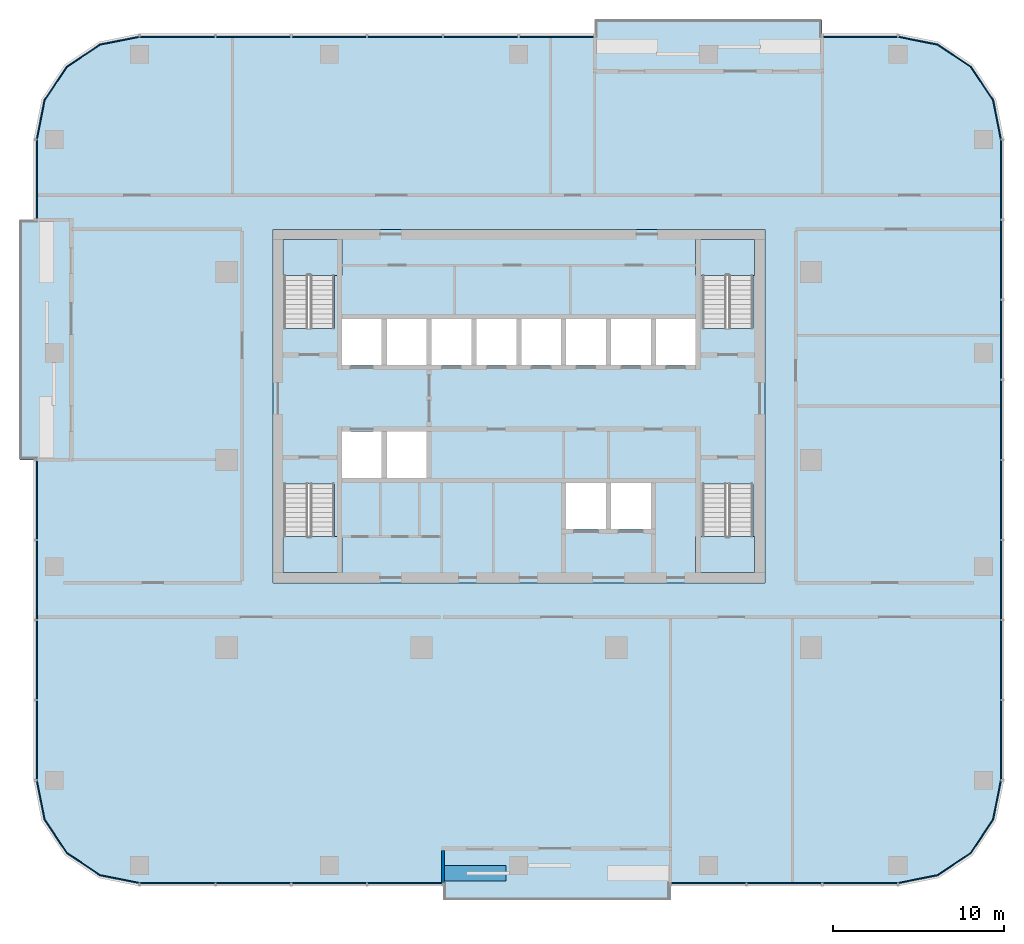
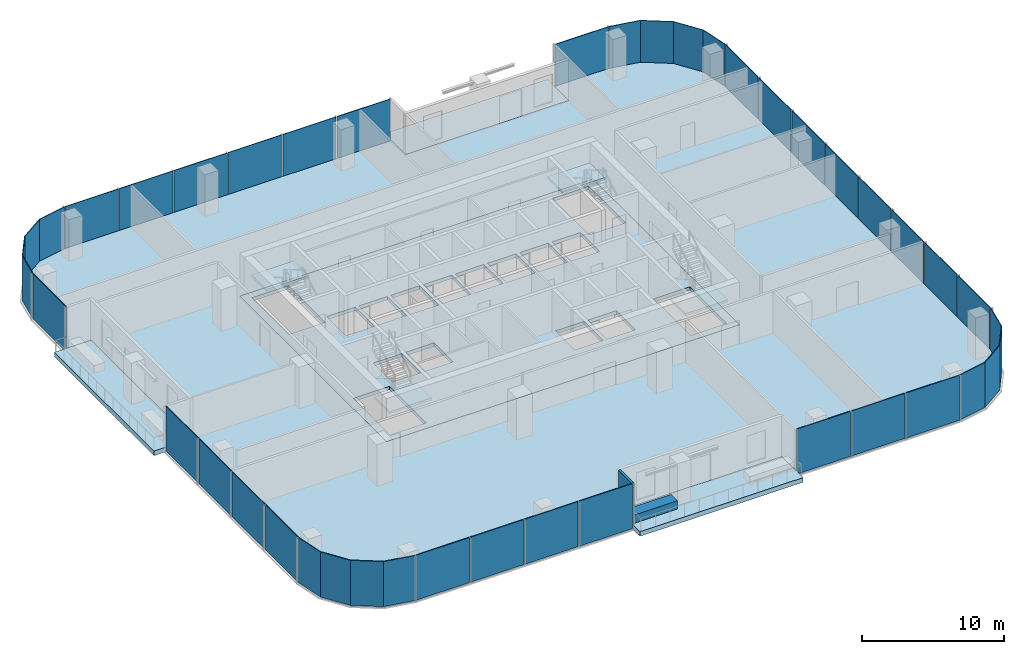
# One storey, part 6 of 14: 31 plates, 9 slabs, 2 walls, 15 elements without a shape of their own.
"""IFC4 building model written with IfcOpenShell, lengths in metres."""

from ifc_helpers import new_model, si_unit, direction, frame, frame_2d, origin, origin_2d, place, context, subcontext, project, spatial, polyline, rectangle, outline, extrude, material, layer, layer_set, type_object, element, aggregate, save


model = new_model("IFC4")

# Units and contexts
model_context = context("Model", 3, precision=1e-05, world=origin(), true_north=direction((0.0, 1.0)))
body_context = subcontext(model_context, "Body", "Model", "MODEL_VIEW")
ifc_project = project(units=[si_unit("LENGTHUNIT", "METRE"), si_unit("AREAUNIT", "SQUARE_METRE"), si_unit("VOLUMEUNIT", "CUBIC_METRE"), si_unit("PLANEANGLEUNIT", "RADIAN"), si_unit("MASSUNIT", "GRAM", prefix="KILO")], contexts=[model_context])

# Site, building, storey
site_placement = place(None, origin())
site = spatial("IfcSite", under=ifc_project, at=site_placement, CompositionType="ELEMENT")
building_placement = place(site_placement, origin())
building = spatial("IfcBuilding", under=site, at=building_placement, Name="Mopane Tessera Tower", CompositionType="ELEMENT")
storey_placement = place(building_placement, frame((0.0, 0.0, 251.0)))
storey = spatial("IfcBuildingStorey", under=building, at=storey_placement, Name="L54", CompositionType="ELEMENT", Elevation=251.0)

# Slab
ifc_material_1 = material(Name="Concrete C40/50", Category="concrete")
ifc_layer_1 = layer(ifc_material_1, 0.300048828125)
ifc_layer_set_1 = layer_set([ifc_layer_1], Name="Concrete C40/50")
slab_type_1 = type_object("IfcSlabType", Name="Core floor slab 300 mm", PredefinedType="FLOOR", material=ifc_layer_set_1)
slab_1_placement = place(storey_placement, frame((0.0, 0.0, -0.300048828125)))
element("IfcSlab", 1, at=slab_1_placement, inside=storey, type_object=slab_type_1, Name="L54 core floor slab", PredefinedType="FLOOR", context=body_context, shape_type="SweptSolid", body=[
    extrude(outline(polyline([(-14.39990234375, -7.199951171875), (14.39990234375, -7.199951171875), (14.39990234375, 13.5), (-14.39990234375, 13.5), (-14.39990234375, -7.199951171875)]), holes=[polyline([(-10.35009765625, -1.050048828125), (-8.02490234375, -1.050048828125), (-8.02490234375, 1.64990234375), (-10.35009765625, 1.64990234375), (-10.35009765625, -1.050048828125)]), polyline([(-7.72509765625, -1.050048828125), (-5.39990234375, -1.050048828125), (-5.39990234375, 1.64990234375), (-7.72509765625, 1.64990234375), (-7.72509765625, -1.050048828125)]), polyline([(-10.35009765625, 5.550048828125), (-8.02490234375, 5.550048828125), (-8.02490234375, 8.25), (-10.35009765625, 8.25), (-10.35009765625, 5.550048828125)]), polyline([(-7.72509765625, 5.550048828125), (-5.39990234375, 5.550048828125), (-5.39990234375, 8.25), (-7.72509765625, 8.25), (-7.72509765625, 5.550048828125)]), polyline([(-5.10009765625, 5.550048828125), (-2.77490234375, 5.550048828125), (-2.77490234375, 8.25), (-5.10009765625, 8.25), (-5.10009765625, 5.550048828125)]), polyline([(-2.47509765625, 5.550048828125), (-0.14990234375, 5.550048828125), (-0.14990234375, 8.25), (-2.47509765625, 8.25), (-2.47509765625, 5.550048828125)]), polyline([(0.14990234375, 5.550048828125), (2.47509765625, 5.550048828125), (2.47509765625, 8.25), (0.14990234375, 8.25), (0.14990234375, 5.550048828125)]), polyline([(2.77490234375, 5.550048828125), (5.10009765625, 5.550048828125), (5.10009765625, 8.25), (2.77490234375, 8.25), (2.77490234375, 5.550048828125)]), polyline([(5.39990234375, 5.550048828125), (7.72509765625, 5.550048828125), (7.72509765625, 8.25), (5.39990234375, 8.25), (5.39990234375, 5.550048828125)]), polyline([(8.02490234375, 5.550048828125), (10.35009765625, 5.550048828125), (10.35009765625, 8.25), (8.02490234375, 8.25), (8.02490234375, 5.550048828125)]), polyline([(2.77490234375, -4.050048828125), (5.10009765625, -4.050048828125), (5.10009765625, -1.35009765625), (2.77490234375, -1.35009765625), (2.77490234375, -4.050048828125)]), polyline([(5.39990234375, -4.050048828125), (7.72509765625, -4.050048828125), (7.72509765625, -1.35009765625), (5.39990234375, -1.35009765625), (5.39990234375, -4.050048828125)]), polyline([(-13.75, -1.405029296875), (-13.75, -6.60009765625), (-10.800048828125, -6.60009765625), (-10.800048828125, -1.405029296875), (-13.75, -1.405029296875)]), polyline([(-10.800048828125, 7.705078125), (-10.800048828125, 12.89990234375), (-13.75, 12.89990234375), (-13.75, 7.705078125), (-10.800048828125, 7.705078125)]), polyline([(10.75, -1.405029296875), (10.75, -6.60009765625), (13.699951171875, -6.60009765625), (13.699951171875, -1.405029296875), (10.75, -1.405029296875)]), polyline([(13.699951171875, 7.705078125), (13.699951171875, 12.89990234375), (10.75, 12.89990234375), (10.75, 7.705078125), (13.699951171875, 7.705078125)])]), origin(), (0.0, 0.0, 1.0), 0.300048828125),
])

# Stair, slab
ifc_material_2 = material(Name="Concrete C50/60", Category="concrete")
stair_type = type_object("IfcStairType", Name="Escape stair 1400 mm, riser 167 mm", PredefinedType="HALF_TURN_STAIR", material=ifc_material_2)
stair_1_placement = place(storey_placement, origin())
stair_1 = element("IfcStair", 2, at=stair_1_placement, inside=storey, type_object=stair_type, Name="L54 Escape stair south-west", PredefinedType="HALF_TURN_STAIR")
ifc_material_3 = material(Name="Concrete C50/60", Category="concrete")
ifc_layer_2 = layer(ifc_material_3, 0.199951171875)
ifc_layer_set_2 = layer_set([ifc_layer_2], Name="Concrete C50/60")
slab_type_2 = type_object("IfcSlabType", Name="Escape stair landing 200 mm", PredefinedType="LANDING", material=ifc_layer_set_2)
slab_2_placement = place(storey_placement, frame((0.0, 0.0, 1.800048828125)))
slab_2 = element("IfcSlab", 3, at=slab_2_placement, type_object=slab_type_2, Name="ST1 landing 1", PredefinedType="LANDING", context=body_context, shape_type="SweptSolid", body=[
    extrude(outline(polyline([(-13.800048828125, -4.47998046875), (-13.800048828125, -6.60009765625), (-10.35009765625, -6.60009765625), (-10.35009765625, -4.47998046875), (-13.800048828125, -4.47998046875)])), origin(), (0.0, 0.0, 1.0), 0.199951171875),
])
aggregate(stair_1, [slab_2])

stair_2_placement = place(storey_placement, origin())
stair_2 = element("IfcStair", 4, at=stair_2_placement, inside=storey, type_object=stair_type, Name="L54 Escape stair north-west", PredefinedType="HALF_TURN_STAIR")
slab_3_placement = place(storey_placement, frame((0.0, 0.0, 1.800048828125)))
slab_3 = element("IfcSlab", 5, at=slab_3_placement, type_object=slab_type_2, Name="ST2 landing 1", PredefinedType="LANDING", context=body_context, shape_type="SweptSolid", body=[
    extrude(outline(polyline([(-10.35009765625, 10.780029296875), (-10.35009765625, 12.89990234375), (-13.800048828125, 12.89990234375), (-13.800048828125, 10.780029296875), (-10.35009765625, 10.780029296875)])), origin(), (0.0, 0.0, 1.0), 0.199951171875),
])
aggregate(stair_2, [slab_3])

stair_3_placement = place(storey_placement, origin())
stair_3 = element("IfcStair", 6, at=stair_3_placement, inside=storey, type_object=stair_type, Name="L54 Escape stair south-east", PredefinedType="HALF_TURN_STAIR")
slab_4_placement = place(storey_placement, frame((0.0, 0.0, 1.800048828125)))
slab_4 = element("IfcSlab", 7, at=slab_4_placement, type_object=slab_type_2, Name="ST3 landing 1", PredefinedType="LANDING", context=body_context, shape_type="SweptSolid", body=[
    extrude(outline(polyline([(10.35009765625, -4.47998046875), (10.35009765625, -6.60009765625), (13.800048828125, -6.60009765625), (13.800048828125, -4.47998046875), (10.35009765625, -4.47998046875)])), origin(), (0.0, 0.0, 1.0), 0.199951171875),
])
aggregate(stair_3, [slab_4])

stair_4_placement = place(storey_placement, origin())
stair_4 = element("IfcStair", 8, at=stair_4_placement, inside=storey, type_object=stair_type, Name="L54 Escape stair north-east", PredefinedType="HALF_TURN_STAIR")
slab_5_placement = place(storey_placement, frame((0.0, 0.0, 1.800048828125)))
slab_5 = element("IfcSlab", 9, at=slab_5_placement, type_object=slab_type_2, Name="ST4 landing 1", PredefinedType="LANDING", context=body_context, shape_type="SweptSolid", body=[
    extrude(outline(polyline([(13.800048828125, 10.780029296875), (13.800048828125, 12.89990234375), (10.35009765625, 12.89990234375), (10.35009765625, 10.780029296875), (13.800048828125, 10.780029296875)])), origin(), (0.0, 0.0, 1.0), 0.199951171875),
])
aggregate(stair_4, [slab_5])

# Slabs
ifc_material_4 = material(Name="Concrete C40/50", Category="concrete")
ifc_layer_3 = layer(ifc_material_4, 0.39990234375)
ifc_layer_set_3 = layer_set([ifc_layer_3], Name="Concrete C40/50")
slab_type_3 = type_object("IfcSlabType", Name="Planted terrace slab 400 mm", PredefinedType="FLOOR", material=ifc_layer_set_3)
slab_6_placement = place(storey_placement, frame((0.0, 0.0, -0.39990234375)))
element("IfcSlab", 10, at=slab_6_placement, inside=storey, type_object=slab_type_3, Name="Terrace slab N1 L54", PredefinedType="FLOOR", context=body_context, shape_type="SweptSolid", body=[
    extrude(outline(polyline([(8.8798828125, -25.75), (8.8798828125, -22.75), (-4.43994140625, -22.75), (-4.43994140625, -25.75), (8.8798828125, -25.75)])), origin(), (0.0, 0.0, 1.0), 0.39990234375),
])
slab_7_placement = place(storey_placement, frame((0.0, 0.0, -0.39990234375)))
element("IfcSlab", 11, at=slab_7_placement, inside=storey, type_object=slab_type_3, Name="Terrace slab N2 L54", PredefinedType="FLOOR", context=body_context, shape_type="SweptSolid", body=[
    extrude(outline(polyline([(4.43994140625, 25.75), (4.43994140625, 22.75), (17.760009765625, 22.75), (17.760009765625, 25.75), (4.43994140625, 25.75)])), origin(), (0.0, 0.0, 1.0), 0.39990234375),
])
slab_8_placement = place(storey_placement, frame((0.0, 0.0, -0.39990234375)))
element("IfcSlab", 12, at=slab_8_placement, inside=storey, type_object=slab_type_3, Name="Terrace slab N3 L54", PredefinedType="FLOOR", context=body_context, shape_type="SweptSolid", body=[
    extrude(outline(polyline([(-29.199951171875, 0.0), (-26.199951171875, 0.0), (-26.199951171875, 14.0625), (-29.199951171875, 14.0625), (-29.199951171875, 0.0)])), origin(), (0.0, 0.0, 1.0), 0.39990234375),
])
ifc_material_5 = material(Name="Concrete C40/50", Category="concrete")
ifc_layer_4 = layer(ifc_material_5, 0.39990234375)
ifc_layer_set_4 = layer_set([ifc_layer_4], Name="Concrete C40/50")
slab_type_4 = type_object("IfcSlabType", Name="Post-tensioned flat plate 400 mm", PredefinedType="FLOOR", material=ifc_layer_set_4)
slab_9_placement = place(storey_placement, frame((0.0, 0.0, -0.39990234375)))
element("IfcSlab", 13, at=slab_9_placement, inside=storey, type_object=slab_type_4, Name="Floor slab L54", PredefinedType="FLOOR", context=body_context, shape_type="SweptSolid", body=[
    extrude(outline(polyline([(-22.199951171875, -24.75), (-4.43994140625, -24.75), (-4.43994140625, -22.75), (8.8798828125, -22.75), (8.8798828125, -24.75), (22.199951171875, -24.75), (24.49609375, -24.293212890625), (26.442626953125, -22.99267578125), (27.7431640625, -21.046142578125), (28.199951171875, -18.75), (28.199951171875, 18.75), (27.7431640625, 21.046142578125), (26.442626953125, 22.99267578125), (24.49609375, 24.293212890625), (22.199951171875, 24.75), (17.760009765625, 24.75), (17.760009765625, 22.75), (4.43994140625, 22.75), (4.43994140625, 24.75), (-22.199951171875, 24.75), (-24.49609375, 24.293212890625), (-26.442626953125, 22.99267578125), (-27.7431640625, 21.046142578125), (-28.199951171875, 18.75), (-28.199951171875, 14.0625), (-26.199951171875, 14.0625), (-26.199951171875, 0.0), (-28.199951171875, 0.0), (-28.199951171875, -18.75), (-27.7431640625, -21.046142578125), (-26.442626953125, -22.99267578125), (-24.49609375, -24.293212890625), (-22.199951171875, -24.75)]), holes=[polyline([(14.39990234375, -7.199951171875), (-14.39990234375, -7.199951171875), (-14.39990234375, 13.5), (14.39990234375, 13.5), (14.39990234375, -7.199951171875)])]), origin(), (0.0, 0.0, 1.0), 0.39990234375),
])

# Curtain wall, plates
ifc_material_6 = material(Name="Aluminium frame", Category="aluminium")
curtain_wall_type = type_object("IfcCurtainWallType", Name="Unitised curtain wall", PredefinedType="NOTDEFINED", material=ifc_material_6)
curtain_wall_1_placement = place(storey_placement, origin())
curtain_wall_1 = element("IfcCurtainWall", 14, at=curtain_wall_1_placement, inside=storey, type_object=curtain_wall_type, Name="e:cw:L54:S:0", PredefinedType="NOTDEFINED")
ifc_material_7 = material(Name="Clear laminated glass", Category="glass")
ifc_layer_5 = layer(ifc_material_7, 0.06005859375)
ifc_layer_set_5 = layer_set([ifc_layer_5], Name="Clear laminated glass")
plate_type = type_object("IfcPlateType", Name="Unitised glazed unit", PredefinedType="CURTAIN_PANEL", material=ifc_layer_set_5)
plate_1_placement = place(storey_placement, frame((-19.97998046875, -24.780029296875, -0.280029296875), z_axis=(0.0, 0.0, 1.0), x_axis=(1.0, 0.0, 0.0)))
plate_1 = element("IfcPlate", 15, at=plate_1_placement, type_object=plate_type, Name="e:cw:L54:S:0:pn0", PredefinedType="CURTAIN_PANEL", context=body_context, shape_type="SweptSolid", body=[
    extrude(rectangle(XDim=4.340087890625, YDim=0.06005859375, at=origin_2d()), origin(), (0.0, 0.0, 1.0), 3.8798828125),
])
plate_2_placement = place(storey_placement, frame((-15.5400390625, -24.780029296875, -0.280029296875), z_axis=(0.0, 0.0, 1.0), x_axis=(1.0, 0.0, 0.0)))
plate_2 = element("IfcPlate", 16, at=plate_2_placement, type_object=plate_type, Name="e:cw:L54:S:0:pn1", PredefinedType="CURTAIN_PANEL", context=body_context, shape_type="SweptSolid", body=[
    extrude(rectangle(XDim=4.340087890625, YDim=0.06005859375, at=origin_2d()), origin(), (0.0, 0.0, 1.0), 3.8798828125),
])
plate_3_placement = place(storey_placement, frame((-11.10009765625, -24.780029296875, -0.280029296875), z_axis=(0.0, 0.0, 1.0), x_axis=(1.0, 0.0, 0.0)))
plate_3 = element("IfcPlate", 17, at=plate_3_placement, type_object=plate_type, Name="e:cw:L54:S:0:pn2", PredefinedType="CURTAIN_PANEL", context=body_context, shape_type="SweptSolid", body=[
    extrude(rectangle(XDim=4.340087890625, YDim=0.06005859375, at=origin_2d()), origin(), (0.0, 0.0, 1.0), 3.8798828125),
])
plate_4_placement = place(storey_placement, frame((-6.659912109375, -24.780029296875, -0.280029296875), z_axis=(0.0, 0.0, 1.0), x_axis=(1.0, 0.0, 0.0)))
plate_4 = element("IfcPlate", 18, at=plate_4_placement, type_object=plate_type, Name="e:cw:L54:S:0:pn3", PredefinedType="CURTAIN_PANEL", context=body_context, shape_type="SweptSolid", body=[
    extrude(rectangle(XDim=4.340087890625, YDim=0.06005859375, at=origin_2d()), origin(), (0.0, 0.0, 1.0), 3.8798828125),
])
aggregate(curtain_wall_1, [plate_1, plate_2, plate_3, plate_4])

curtain_wall_2_placement = place(storey_placement, origin())
curtain_wall_2 = element("IfcCurtainWall", 19, at=curtain_wall_2_placement, inside=storey, type_object=curtain_wall_type, Name="e:cw:L54:S:7", PredefinedType="NOTDEFINED")
plate_5_placement = place(storey_placement, frame((11.10009765625, -24.780029296875, -0.280029296875), z_axis=(0.0, 0.0, 1.0), x_axis=(1.0, 0.0, 0.0)))
plate_5 = element("IfcPlate", 20, at=plate_5_placement, type_object=plate_type, Name="e:cw:L54:S:7:pn7", PredefinedType="CURTAIN_PANEL", context=body_context, shape_type="SweptSolid", body=[
    extrude(rectangle(XDim=4.340087890625, YDim=0.06005859375, at=origin_2d()), origin(), (0.0, 0.0, 1.0), 3.8798828125),
])
plate_6_placement = place(storey_placement, frame((15.5400390625, -24.780029296875, -0.280029296875), z_axis=(0.0, 0.0, 1.0), x_axis=(1.0, 0.0, 0.0)))
plate_6 = element("IfcPlate", 21, at=plate_6_placement, type_object=plate_type, Name="e:cw:L54:S:7:pn8", PredefinedType="CURTAIN_PANEL", context=body_context, shape_type="SweptSolid", body=[
    extrude(rectangle(XDim=4.340087890625, YDim=0.06005859375, at=origin_2d()), origin(), (0.0, 0.0, 1.0), 3.8798828125),
])
plate_7_placement = place(storey_placement, frame((19.97998046875, -24.780029296875, -0.280029296875), z_axis=(0.0, 0.0, 1.0), x_axis=(1.0, 0.0, 0.0)))
plate_7 = element("IfcPlate", 22, at=plate_7_placement, type_object=plate_type, Name="e:cw:L54:S:7:pn9", PredefinedType="CURTAIN_PANEL", context=body_context, shape_type="SweptSolid", body=[
    extrude(rectangle(XDim=4.340087890625, YDim=0.06005859375, at=origin_2d()), origin(), (0.0, 0.0, 1.0), 3.8798828125),
])
aggregate(curtain_wall_2, [plate_5, plate_6, plate_7])

# Curtain wall, plate
curtain_wall_3_placement = place(storey_placement, origin())
curtain_wall_3 = element("IfcCurtainWall", 23, at=curtain_wall_3_placement, inside=storey, type_object=curtain_wall_type, Name="e:cw:L54:CS", PredefinedType="NOTDEFINED")
plate_8_placement = place(storey_placement, frame((0.0, 0.0, -0.280029296875)))
plate_8 = element("IfcPlate", 24, at=plate_8_placement, type_object=plate_type, Name="e:cw:L54:CS:pn", PredefinedType="CURTAIN_PANEL", context=body_context, shape_type="SweptSolid", body=[
    extrude(outline(polyline([(22.199951171875, -24.75), (24.49609375, -24.293212890625), (26.442626953125, -22.99267578125), (27.7431640625, -21.046142578125), (28.199951171875, -18.75), (28.260009765625, -18.75), (27.798828125, -21.069091796875), (26.485107421875, -23.03515625), (24.51904296875, -24.3486328125), (22.199951171875, -24.81005859375), (22.199951171875, -24.75)])), origin(), (0.0, 0.0, 1.0), 3.880126953125),
])
aggregate(curtain_wall_3, [plate_8])

# Curtain wall, plates
curtain_wall_4_placement = place(storey_placement, origin())
curtain_wall_4 = element("IfcCurtainWall", 25, at=curtain_wall_4_placement, inside=storey, type_object=curtain_wall_type, Name="e:cw:L54:E:0", PredefinedType="NOTDEFINED")
plate_9_placement = place(storey_placement, frame((28.22998046875, -16.40625, -0.280029296875), z_axis=(0.0, 0.0, 1.0), x_axis=(0.0, 1.0, 0.0)))
plate_9 = element("IfcPlate", 26, at=plate_9_placement, type_object=plate_type, Name="e:cw:L54:E:0:pn0", PredefinedType="CURTAIN_PANEL", context=body_context, shape_type="SweptSolid", body=[
    extrude(rectangle(XDim=4.58740234375, YDim=0.06005859375, at=origin_2d()), origin(), (0.0, 0.0, 1.0), 3.8798828125),
])
plate_10_placement = place(storey_placement, frame((28.22998046875, -11.71875, -0.280029296875), z_axis=(0.0, 0.0, 1.0), x_axis=(0.0, 1.0, 0.0)))
plate_10 = element("IfcPlate", 27, at=plate_10_placement, type_object=plate_type, Name="e:cw:L54:E:0:pn1", PredefinedType="CURTAIN_PANEL", context=body_context, shape_type="SweptSolid", body=[
    extrude(rectangle(XDim=4.58740234375, YDim=0.06005859375, at=origin_2d()), origin(), (0.0, 0.0, 1.0), 3.8798828125),
])
plate_11_placement = place(storey_placement, frame((28.22998046875, -7.03125, -0.280029296875), z_axis=(0.0, 0.0, 1.0), x_axis=(0.0, 1.0, 0.0)))
plate_11 = element("IfcPlate", 28, at=plate_11_placement, type_object=plate_type, Name="e:cw:L54:E:0:pn2", PredefinedType="CURTAIN_PANEL", context=body_context, shape_type="SweptSolid", body=[
    extrude(rectangle(XDim=4.58740234375, YDim=0.06005859375, at=origin_2d()), origin(), (0.0, 0.0, 1.0), 3.8798828125),
])
plate_12_placement = place(storey_placement, frame((28.22998046875, -2.34375, -0.280029296875), z_axis=(0.0, 0.0, 1.0), x_axis=(0.0, 1.0, 0.0)))
plate_12 = element("IfcPlate", 29, at=plate_12_placement, type_object=plate_type, Name="e:cw:L54:E:0:pn3", PredefinedType="CURTAIN_PANEL", context=body_context, shape_type="SweptSolid", body=[
    extrude(rectangle(XDim=4.58740234375, YDim=0.06005859375, at=origin_2d()), origin(), (0.0, 0.0, 1.0), 3.8798828125),
])
plate_13_placement = place(storey_placement, frame((28.22998046875, 2.34375, -0.280029296875), z_axis=(0.0, 0.0, 1.0), x_axis=(0.0, 1.0, 0.0)))
plate_13 = element("IfcPlate", 30, at=plate_13_placement, type_object=plate_type, Name="e:cw:L54:E:0:pn4", PredefinedType="CURTAIN_PANEL", context=body_context, shape_type="SweptSolid", body=[
    extrude(rectangle(XDim=4.58740234375, YDim=0.06005859375, at=origin_2d()), origin(), (0.0, 0.0, 1.0), 3.8798828125),
])
plate_14_placement = place(storey_placement, frame((28.22998046875, 7.03125, -0.280029296875), z_axis=(0.0, 0.0, 1.0), x_axis=(0.0, 1.0, 0.0)))
plate_14 = element("IfcPlate", 31, at=plate_14_placement, type_object=plate_type, Name="e:cw:L54:E:0:pn5", PredefinedType="CURTAIN_PANEL", context=body_context, shape_type="SweptSolid", body=[
    extrude(rectangle(XDim=4.58740234375, YDim=0.06005859375, at=origin_2d()), origin(), (0.0, 0.0, 1.0), 3.8798828125),
])
plate_15_placement = place(storey_placement, frame((28.22998046875, 11.71875, -0.280029296875), z_axis=(0.0, 0.0, 1.0), x_axis=(0.0, 1.0, 0.0)))
plate_15 = element("IfcPlate", 32, at=plate_15_placement, type_object=plate_type, Name="e:cw:L54:E:0:pn6", PredefinedType="CURTAIN_PANEL", context=body_context, shape_type="SweptSolid", body=[
    extrude(rectangle(XDim=4.58740234375, YDim=0.06005859375, at=origin_2d()), origin(), (0.0, 0.0, 1.0), 3.8798828125),
])
plate_16_placement = place(storey_placement, frame((28.22998046875, 16.40625, -0.280029296875), z_axis=(0.0, 0.0, 1.0), x_axis=(0.0, 1.0, 0.0)))
plate_16 = element("IfcPlate", 33, at=plate_16_placement, type_object=plate_type, Name="e:cw:L54:E:0:pn7", PredefinedType="CURTAIN_PANEL", context=body_context, shape_type="SweptSolid", body=[
    extrude(rectangle(XDim=4.58740234375, YDim=0.06005859375, at=origin_2d()), origin(), (0.0, 0.0, 1.0), 3.8798828125),
])
aggregate(curtain_wall_4, [plate_9, plate_10, plate_11, plate_12, plate_13, plate_14, plate_15, plate_16])

# Curtain wall, plate
curtain_wall_5_placement = place(storey_placement, origin())
curtain_wall_5 = element("IfcCurtainWall", 34, at=curtain_wall_5_placement, inside=storey, type_object=curtain_wall_type, Name="e:cw:L54:CE", PredefinedType="NOTDEFINED")
plate_17_placement = place(storey_placement, frame((0.0, 0.0, -0.280029296875)))
plate_17 = element("IfcPlate", 35, at=plate_17_placement, type_object=plate_type, Name="e:cw:L54:CE:pn", PredefinedType="CURTAIN_PANEL", context=body_context, shape_type="SweptSolid", body=[
    extrude(outline(polyline([(28.199951171875, 18.75), (27.7431640625, 21.046142578125), (26.442626953125, 22.99267578125), (24.49609375, 24.293212890625), (22.199951171875, 24.75), (22.199951171875, 24.81005859375), (24.51904296875, 24.3486328125), (26.485107421875, 23.03515625), (27.798828125, 21.069091796875), (28.260009765625, 18.75), (28.199951171875, 18.75)])), origin(), (0.0, 0.0, 1.0), 3.880126953125),
])
aggregate(curtain_wall_5, [plate_17])

curtain_wall_6_placement = place(storey_placement, origin())
curtain_wall_6 = element("IfcCurtainWall", 36, at=curtain_wall_6_placement, inside=storey, type_object=curtain_wall_type, Name="e:cw:L54:N:0", PredefinedType="NOTDEFINED")
plate_18_placement = place(storey_placement, frame((19.97998046875, 24.780029296875, -0.280029296875), z_axis=(0.0, 0.0, 1.0), x_axis=(-1.0, 0.0, 0.0)))
plate_18 = element("IfcPlate", 37, at=plate_18_placement, type_object=plate_type, Name="e:cw:L54:N:0:pn0", PredefinedType="CURTAIN_PANEL", context=body_context, shape_type="SweptSolid", body=[
    extrude(rectangle(XDim=4.340087890625, YDim=0.06005859375, at=origin_2d()), origin(), (0.0, 0.0, 1.0), 3.8798828125),
])
aggregate(curtain_wall_6, [plate_18])

# Curtain wall, plates
curtain_wall_7_placement = place(storey_placement, origin())
curtain_wall_7 = element("IfcCurtainWall", 38, at=curtain_wall_7_placement, inside=storey, type_object=curtain_wall_type, Name="e:cw:L54:N:4", PredefinedType="NOTDEFINED")
plate_19_placement = place(storey_placement, frame((2.219970703125, 24.780029296875, -0.280029296875), z_axis=(0.0, 0.0, 1.0), x_axis=(-1.0, 0.0, 0.0)))
plate_19 = element("IfcPlate", 39, at=plate_19_placement, type_object=plate_type, Name="e:cw:L54:N:4:pn4", PredefinedType="CURTAIN_PANEL", context=body_context, shape_type="SweptSolid", body=[
    extrude(rectangle(XDim=4.340087890625, YDim=0.06005859375, at=origin_2d()), origin(), (0.0, 0.0, 1.0), 3.8798828125),
])
plate_20_placement = place(storey_placement, frame((-2.219970703125, 24.780029296875, -0.280029296875), z_axis=(0.0, 0.0, 1.0), x_axis=(-1.0, 0.0, 0.0)))
plate_20 = element("IfcPlate", 40, at=plate_20_placement, type_object=plate_type, Name="e:cw:L54:N:4:pn5", PredefinedType="CURTAIN_PANEL", context=body_context, shape_type="SweptSolid", body=[
    extrude(rectangle(XDim=4.340087890625, YDim=0.06005859375, at=origin_2d()), origin(), (0.0, 0.0, 1.0), 3.8798828125),
])
plate_21_placement = place(storey_placement, frame((-6.659912109375, 24.780029296875, -0.280029296875), z_axis=(0.0, 0.0, 1.0), x_axis=(-1.0, 0.0, 0.0)))
plate_21 = element("IfcPlate", 41, at=plate_21_placement, type_object=plate_type, Name="e:cw:L54:N:4:pn6", PredefinedType="CURTAIN_PANEL", context=body_context, shape_type="SweptSolid", body=[
    extrude(rectangle(XDim=4.340087890625, YDim=0.06005859375, at=origin_2d()), origin(), (0.0, 0.0, 1.0), 3.8798828125),
])
plate_22_placement = place(storey_placement, frame((-11.10009765625, 24.780029296875, -0.280029296875), z_axis=(0.0, 0.0, 1.0), x_axis=(-1.0, 0.0, 0.0)))
plate_22 = element("IfcPlate", 42, at=plate_22_placement, type_object=plate_type, Name="e:cw:L54:N:4:pn7", PredefinedType="CURTAIN_PANEL", context=body_context, shape_type="SweptSolid", body=[
    extrude(rectangle(XDim=4.340087890625, YDim=0.06005859375, at=origin_2d()), origin(), (0.0, 0.0, 1.0), 3.8798828125),
])
plate_23_placement = place(storey_placement, frame((-15.5400390625, 24.780029296875, -0.280029296875), z_axis=(0.0, 0.0, 1.0), x_axis=(-1.0, 0.0, 0.0)))
plate_23 = element("IfcPlate", 43, at=plate_23_placement, type_object=plate_type, Name="e:cw:L54:N:4:pn8", PredefinedType="CURTAIN_PANEL", context=body_context, shape_type="SweptSolid", body=[
    extrude(rectangle(XDim=4.340087890625, YDim=0.06005859375, at=origin_2d()), origin(), (0.0, 0.0, 1.0), 3.8798828125),
])
plate_24_placement = place(storey_placement, frame((-19.97998046875, 24.780029296875, -0.280029296875), z_axis=(0.0, 0.0, 1.0), x_axis=(-1.0, 0.0, 0.0)))
plate_24 = element("IfcPlate", 44, at=plate_24_placement, type_object=plate_type, Name="e:cw:L54:N:4:pn9", PredefinedType="CURTAIN_PANEL", context=body_context, shape_type="SweptSolid", body=[
    extrude(rectangle(XDim=4.340087890625, YDim=0.06005859375, at=origin_2d()), origin(), (0.0, 0.0, 1.0), 3.8798828125),
])
aggregate(curtain_wall_7, [plate_19, plate_20, plate_21, plate_22, plate_23, plate_24])

# Curtain wall, plate
curtain_wall_8_placement = place(storey_placement, origin())
curtain_wall_8 = element("IfcCurtainWall", 45, at=curtain_wall_8_placement, inside=storey, type_object=curtain_wall_type, Name="e:cw:L54:CN", PredefinedType="NOTDEFINED")
plate_25_placement = place(storey_placement, frame((0.0, 0.0, -0.280029296875)))
plate_25 = element("IfcPlate", 46, at=plate_25_placement, type_object=plate_type, Name="e:cw:L54:CN:pn", PredefinedType="CURTAIN_PANEL", context=body_context, shape_type="SweptSolid", body=[
    extrude(outline(polyline([(-22.199951171875, 24.75), (-24.49609375, 24.293212890625), (-26.442626953125, 22.99267578125), (-27.7431640625, 21.046142578125), (-28.199951171875, 18.75), (-28.260009765625, 18.75), (-27.798828125, 21.069091796875), (-26.485107421875, 23.03515625), (-24.51904296875, 24.3486328125), (-22.199951171875, 24.81005859375), (-22.199951171875, 24.75)])), origin(), (0.0, 0.0, 1.0), 3.880126953125),
])
aggregate(curtain_wall_8, [plate_25])

curtain_wall_9_placement = place(storey_placement, origin())
curtain_wall_9 = element("IfcCurtainWall", 47, at=curtain_wall_9_placement, inside=storey, type_object=curtain_wall_type, Name="e:cw:L54:W:0", PredefinedType="NOTDEFINED")
plate_26_placement = place(storey_placement, frame((-28.22998046875, 16.40625, -0.280029296875), z_axis=(0.0, 0.0, 1.0), x_axis=(0.0, -1.0, 0.0)))
plate_26 = element("IfcPlate", 48, at=plate_26_placement, type_object=plate_type, Name="e:cw:L54:W:0:pn0", PredefinedType="CURTAIN_PANEL", context=body_context, shape_type="SweptSolid", body=[
    extrude(rectangle(XDim=4.58740234375, YDim=0.06005859375, at=origin_2d()), origin(), (0.0, 0.0, 1.0), 3.8798828125),
])
aggregate(curtain_wall_9, [plate_26])

# Curtain wall, plates
curtain_wall_10_placement = place(storey_placement, origin())
curtain_wall_10 = element("IfcCurtainWall", 49, at=curtain_wall_10_placement, inside=storey, type_object=curtain_wall_type, Name="e:cw:L54:W:4", PredefinedType="NOTDEFINED")
plate_27_placement = place(storey_placement, frame((-28.22998046875, -2.34375, -0.280029296875), z_axis=(0.0, 0.0, 1.0), x_axis=(0.0, -1.0, 0.0)))
plate_27 = element("IfcPlate", 50, at=plate_27_placement, type_object=plate_type, Name="e:cw:L54:W:4:pn4", PredefinedType="CURTAIN_PANEL", context=body_context, shape_type="SweptSolid", body=[
    extrude(rectangle(XDim=4.58740234375, YDim=0.06005859375, at=origin_2d()), origin(), (0.0, 0.0, 1.0), 3.8798828125),
])
plate_28_placement = place(storey_placement, frame((-28.22998046875, -7.03125, -0.280029296875), z_axis=(0.0, 0.0, 1.0), x_axis=(0.0, -1.0, 0.0)))
plate_28 = element("IfcPlate", 51, at=plate_28_placement, type_object=plate_type, Name="e:cw:L54:W:4:pn5", PredefinedType="CURTAIN_PANEL", context=body_context, shape_type="SweptSolid", body=[
    extrude(rectangle(XDim=4.58740234375, YDim=0.06005859375, at=origin_2d()), origin(), (0.0, 0.0, 1.0), 3.8798828125),
])
plate_29_placement = place(storey_placement, frame((-28.22998046875, -11.71875, -0.280029296875), z_axis=(0.0, 0.0, 1.0), x_axis=(0.0, -1.0, 0.0)))
plate_29 = element("IfcPlate", 52, at=plate_29_placement, type_object=plate_type, Name="e:cw:L54:W:4:pn6", PredefinedType="CURTAIN_PANEL", context=body_context, shape_type="SweptSolid", body=[
    extrude(rectangle(XDim=4.58740234375, YDim=0.06005859375, at=origin_2d()), origin(), (0.0, 0.0, 1.0), 3.8798828125),
])
plate_30_placement = place(storey_placement, frame((-28.22998046875, -16.40625, -0.280029296875), z_axis=(0.0, 0.0, 1.0), x_axis=(0.0, -1.0, 0.0)))
plate_30 = element("IfcPlate", 53, at=plate_30_placement, type_object=plate_type, Name="e:cw:L54:W:4:pn7", PredefinedType="CURTAIN_PANEL", context=body_context, shape_type="SweptSolid", body=[
    extrude(rectangle(XDim=4.58740234375, YDim=0.06005859375, at=origin_2d()), origin(), (0.0, 0.0, 1.0), 3.8798828125),
])
aggregate(curtain_wall_10, [plate_27, plate_28, plate_29, plate_30])

# Curtain wall, plate
curtain_wall_11_placement = place(storey_placement, origin())
curtain_wall_11 = element("IfcCurtainWall", 54, at=curtain_wall_11_placement, inside=storey, type_object=curtain_wall_type, Name="e:cw:L54:CW", PredefinedType="NOTDEFINED")
plate_31_placement = place(storey_placement, frame((0.0, 0.0, -0.280029296875)))
plate_31 = element("IfcPlate", 55, at=plate_31_placement, type_object=plate_type, Name="e:cw:L54:CW:pn", PredefinedType="CURTAIN_PANEL", context=body_context, shape_type="SweptSolid", body=[
    extrude(outline(polyline([(-28.199951171875, -18.75), (-27.7431640625, -21.046142578125), (-26.442626953125, -22.99267578125), (-24.49609375, -24.293212890625), (-22.199951171875, -24.75), (-22.199951171875, -24.81005859375), (-24.51904296875, -24.3486328125), (-26.485107421875, -23.03515625), (-27.798828125, -21.069091796875), (-28.260009765625, -18.75), (-28.199951171875, -18.75)])), origin(), (0.0, 0.0, 1.0), 3.880126953125),
])
aggregate(curtain_wall_11, [plate_31])

# Walls
ifc_material_8 = material(Name="Reinforced concrete C32/40 with waterproofing", Category="concrete")
ifc_layer_6 = layer(ifc_material_8, 0.89990234375)
ifc_layer_set_6 = layer_set([ifc_layer_6], Name="Reinforced concrete C32/40 with waterproofing")
wall_type_1 = type_object("IfcWallType", Name="Planter trough 3600 x 900", PredefinedType="STANDARD", material=ifc_layer_set_6)
wall_1_placement = place(storey_placement, frame((-4.340087890625, -24.199951171875, 0.0), z_axis=(0.0, 0.0, 1.0), x_axis=(1.0, 0.0, 0.0)))
element("IfcWall", 56, at=wall_1_placement, inside=storey, type_object=wall_type_1, Name="e:nw:L54:N1:pl0", PredefinedType="STANDARD", context=body_context, shape_type="SweptSolid", body=[
    extrude(rectangle(XDim=3.60009765625, YDim=0.89990234375, at=frame_2d((1.800048828125, 0.0))), origin(), (0.0, 0.0, 1.0), 0.699951171875),
])
ifc_material_9 = material(Name="Blockwork with glazed tile facing", Category="masonry")
ifc_layer_7 = layer(ifc_material_9, 0.199951171875)
ifc_layer_set_7 = layer_set([ifc_layer_7], Name="Blockwork with glazed tile facing")
wall_type_2 = type_object("IfcWallType", Name="Terrace cheek wall 200", PredefinedType="STANDARD", material=ifc_layer_set_7)
wall_2_placement = place(storey_placement, frame((-4.43994140625, -24.75, 0.0), z_axis=(0.0, 0.0, 1.0), x_axis=(0.0, 1.0, 0.0)))
element("IfcWall", 57, at=wall_2_placement, inside=storey, type_object=wall_type_2, Name="e:nw:L54:N1:cheeka", PredefinedType="STANDARD", context=body_context, shape_type="SweptSolid", body=[
    extrude(rectangle(XDim=1.875, YDim=0.199951171875, at=frame_2d((0.9375, 0.0))), origin(), (0.0, 0.0, 1.0), 3.60009765625),
])

save(model, "model.ifc")
